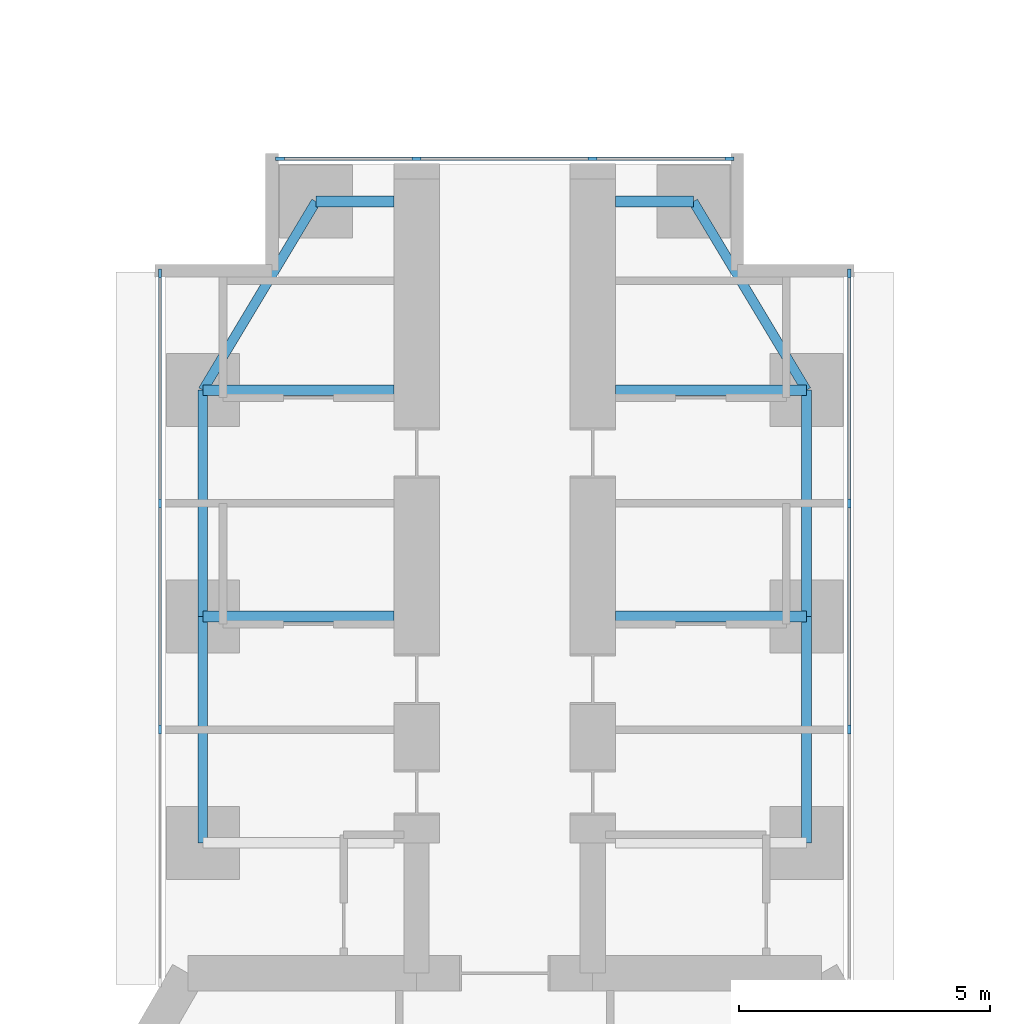
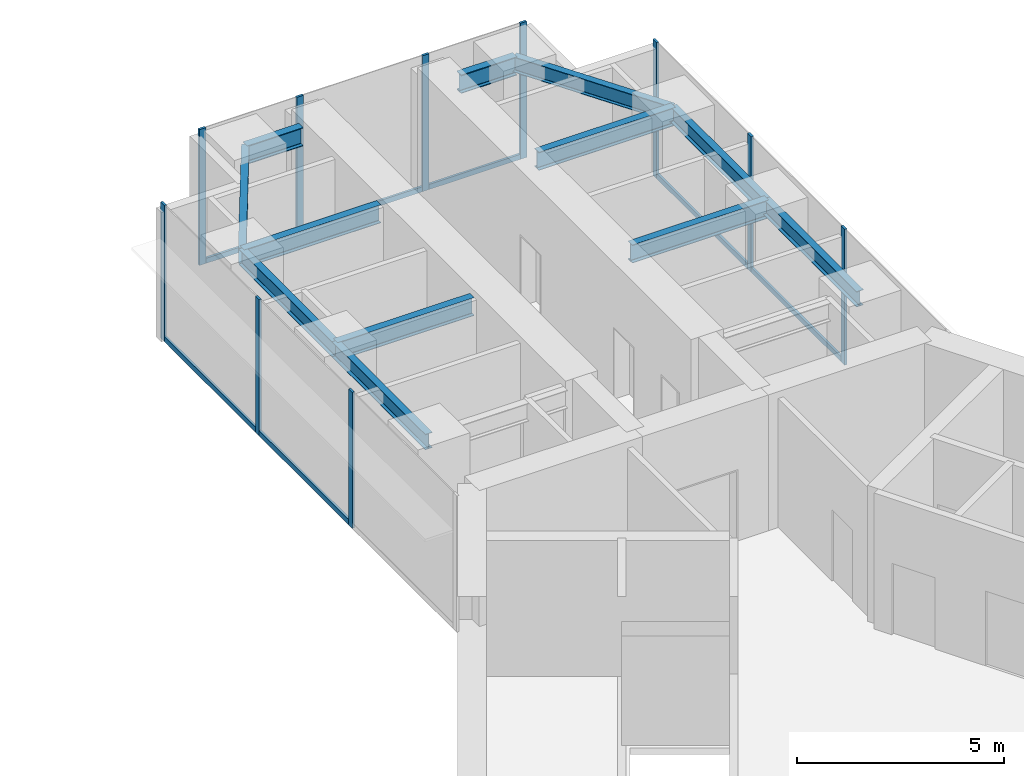
# One storey, part 13 of 24: 17 members, 12 beams, 3 elements without a shape of their own.
"""IFC4 building model written with IfcOpenShell, lengths in metres."""

from ifc_helpers import new_model, si_unit, direction, frame, origin, origin_2d, place, context, subcontext, project, spatial, rectangle, i_section, extrude, material, material_profile, profile_set, type_object, element, aggregate, save


model = new_model("IFC4")

# Units and contexts
model_context = context("Model", 3, precision=1e-05, world=origin(), true_north=direction((0.0, 1.0)))
body_context = subcontext(model_context, "Body", "Model", "MODEL_VIEW")
ifc_project = project(units=[si_unit("LENGTHUNIT", "METRE"), si_unit("AREAUNIT", "SQUARE_METRE"), si_unit("VOLUMEUNIT", "CUBIC_METRE"), si_unit("PLANEANGLEUNIT", "RADIAN"), si_unit("MASSUNIT", "GRAM", prefix="KILO")], contexts=[model_context])

# Site, building, storey
site_placement = place(None, origin())
site = spatial("IfcSite", under=ifc_project, at=site_placement, CompositionType="ELEMENT")
building_placement = place(site_placement, origin())
building = spatial("IfcBuilding", under=site, at=building_placement, Name="Upepo Twin Towers", CompositionType="ELEMENT")
storey_placement = place(building_placement, frame((0.0, 0.0, 64.5)))
storey = spatial("IfcBuildingStorey", under=building, at=storey_placement, Name="L15", CompositionType="ELEMENT", Elevation=64.5)

# Beams
ifc_material_1 = material(Name="Steel S355", Category="steel")
ifc_material_profile_1 = material_profile(ifc_material_1, i_section(OverallWidth=0.1904296875, OverallDepth=0.45703125, WebThickness=0.009033203125, FlangeThickness=0.014404296875, FilletRadius=0.01025390625, at=origin_2d()), Name="UB 457x191x74")
ifc_profile_set_1 = profile_set([ifc_material_profile_1], Name="Steel S355")
beam_type_1 = type_object("IfcBeamType", Name="Beam UB 457x191x74", PredefinedType="BEAM", material=ifc_profile_set_1)
for number, where, z_axis, x_axis, name in (
    (1, (52.5, -4.5, 3.571533203125), (0.0, 1.0, 0.0), (-1.0, 0.0, 0.0), "T2 edge beam AL 13.5-18.0"),
    (2, (52.5, 0.0, 3.571533203125), (0.0, 1.0, 0.0), (-1.0, 0.0, 0.0), "T2 edge beam AL 18.0-22.5"),
):
    element("IfcBeam", number, at=place(storey_placement, frame(where, z_axis=z_axis, x_axis=x_axis)), inside=storey, type_object=beam_type_1, Name=name, PredefinedType="BEAM", context=body_context, shape_type="SweptSolid", body=[
        extrude(i_section(OverallWidth=0.1904296875, OverallDepth=0.45703125, WebThickness=0.009033203125, FlangeThickness=0.014404296875, FilletRadius=0.01025390625, at=origin_2d()), origin(), (0.0, 0.0, 1.0), 4.5),
    ])
beam_1_placement = place(storey_placement, frame((52.5, 4.5, 3.571533203125), z_axis=(0.514495755428, 0.857492925713, 0.0), x_axis=(-0.857492925713, 0.514495755428, 0.0)))
element("IfcBeam", 3, at=beam_1_placement, inside=storey, type_object=beam_type_1, Name="T2 nose edge beam AL", PredefinedType="BEAM", context=body_context, shape_type="SweptSolid", body=[
    extrude(i_section(OverallWidth=0.1904296875, OverallDepth=0.45703125, WebThickness=0.009033203125, FlangeThickness=0.014404296875, FilletRadius=0.01025390625, at=origin_2d()), origin(), (0.0, 0.0, 1.0), 4.373291015625),
])
for number, where, z_axis, x_axis, name in (
    (4, (64.5, -4.5, 3.571533203125), (0.0, 1.0, 0.0), (-1.0, 0.0, 0.0), "T2 edge beam AR 13.5-18.0"),
    (5, (64.5, 0.0, 3.571533203125), (0.0, 1.0, 0.0), (-1.0, 0.0, 0.0), "T2 edge beam AR 18.0-22.5"),
):
    element("IfcBeam", number, at=place(storey_placement, frame(where, z_axis=z_axis, x_axis=x_axis)), inside=storey, type_object=beam_type_1, Name=name, PredefinedType="BEAM", context=body_context, shape_type="SweptSolid", body=[
        extrude(i_section(OverallWidth=0.1904296875, OverallDepth=0.45703125, WebThickness=0.009033203125, FlangeThickness=0.014404296875, FilletRadius=0.01025390625, at=origin_2d()), origin(), (0.0, 0.0, 1.0), 4.5),
    ])
beam_2_placement = place(storey_placement, frame((64.5, 4.5, 3.571533203125), z_axis=(-0.514495755428, 0.857492925713, 0.0), x_axis=(-0.857492925713, -0.514495755428, 0.0)))
element("IfcBeam", 6, at=beam_2_placement, inside=storey, type_object=beam_type_1, Name="T2 nose edge beam AR", PredefinedType="BEAM", context=body_context, shape_type="SweptSolid", body=[
    extrude(i_section(OverallWidth=0.1904296875, OverallDepth=0.45703125, WebThickness=0.009033203125, FlangeThickness=0.014404296875, FilletRadius=0.01025390625, at=origin_2d()), origin(), (0.0, 0.0, 1.0), 4.373291015625),
])
ifc_material_2 = material(Name="Steel S355", Category="steel")
ifc_material_profile_2 = material_profile(ifc_material_2, i_section(OverallWidth=0.2119140625, OverallDepth=0.54443359375, WebThickness=0.0126953125, FlangeThickness=0.021240234375, FilletRadius=0.0126953125, at=origin_2d()), Name="UB 533x210x122")
ifc_profile_set_2 = profile_set([ifc_material_profile_2], Name="Steel S355")
beam_type_2 = type_object("IfcBeamType", Name="Beam UB 533x210x122", PredefinedType="BEAM", material=ifc_profile_set_2)
for number, where, z_axis, x_axis, name in (
    (7, (54.75, 8.25, 3.52783203125), (1.0, 0.0, 0.0), (0.0, 1.0, 0.0), "T2 nose beam AL"),
    (8, (62.25, 8.25, 3.52783203125), (-1.0, 0.0, 0.0), (0.0, -1.0, 0.0), "T2 nose beam AR"),
):
    element("IfcBeam", number, at=place(storey_placement, frame(where, z_axis=z_axis, x_axis=x_axis)), inside=storey, type_object=beam_type_2, Name=name, PredefinedType="BEAM", context=body_context, shape_type="SweptSolid", body=[
        extrude(i_section(OverallWidth=0.2119140625, OverallDepth=0.54443359375, WebThickness=0.0126953125, FlangeThickness=0.021240234375, FilletRadius=0.0126953125, at=origin_2d()), origin(), (0.0, 0.0, 1.0), 1.550048828125),
    ])
ifc_material_3 = material(Name="Steel S355", Category="steel")
ifc_material_profile_3 = material_profile(ifc_material_3, i_section(OverallWidth=0.209228515625, OverallDepth=0.533203125, WebThickness=0.010009765625, FlangeThickness=0.015625, FilletRadius=0.0126953125, at=origin_2d()), Name="UB 533x210x92")
ifc_profile_set_3 = profile_set([ifc_material_profile_3], Name="Steel S355")
beam_type_3 = type_object("IfcBeamType", Name="Beam UB 533x210x92", PredefinedType="BEAM", material=ifc_profile_set_3)
for number, where, z_axis, x_axis, name in (
    (9, (52.5, 0.0, 3.533447265625), (1.0, 0.0, 0.0), (0.0, 1.0, 0.0), "T2 girder AL at 18.0"),
    (10, (52.5, 4.5, 3.533447265625), (1.0, 0.0, 0.0), (0.0, 1.0, 0.0), "T2 girder AL at 22.5"),
    (11, (64.5, 0.0, 3.533447265625), (-1.0, 0.0, 0.0), (0.0, -1.0, 0.0), "T2 girder AR at 18.0"),
    (12, (64.5, 4.5, 3.533447265625), (-1.0, 0.0, 0.0), (0.0, -1.0, 0.0), "T2 girder AR at 22.5"),
):
    element("IfcBeam", number, at=place(storey_placement, frame(where, z_axis=z_axis, x_axis=x_axis)), inside=storey, type_object=beam_type_3, Name=name, PredefinedType="BEAM", context=body_context, shape_type="SweptSolid", body=[
        extrude(i_section(OverallWidth=0.209228515625, OverallDepth=0.533203125, WebThickness=0.010009765625, FlangeThickness=0.015625, FilletRadius=0.0126953125, at=origin_2d()), origin(), (0.0, 0.0, 1.0), 3.800048828125),
    ])

# Curtain wall, members
ifc_material_4 = material(Name="Aluminium and fritted glass", Category="aluminium")
curtain_wall_type = type_object("IfcCurtainWallType", Name="Tower curtain wall TW1, fritted glass", PredefinedType="NOTDEFINED", material=ifc_material_4)
curtain_wall_1_placement = place(storey_placement, origin())
curtain_wall_1 = element("IfcCurtainWall", 13, at=curtain_wall_1_placement, inside=storey, type_object=curtain_wall_type, Name="T2 L15 wing A flank L curtain wall", PredefinedType="NOTDEFINED")
ifc_material_5 = material(Name="Aluminium mullion", Category="aluminium")
ifc_material_profile_4 = material_profile(ifc_material_5, rectangle(XDim=0.06494140625, YDim=0.179931640625, at=origin_2d()), Name="MULLION 65x180")
ifc_profile_set_4 = profile_set([ifc_material_profile_4], Name="Aluminium mullion")
member_type_1 = type_object("IfcMemberType", Name="Mullion 65x180 TW1", PredefinedType="MULLION", material=ifc_profile_set_4)
member_1_placement = place(storey_placement, frame((51.64990234375, -2.25, 0.0), z_axis=(0.0, 0.0, 1.0), x_axis=(-1.0, 0.0, 0.0)))
member_1 = element("IfcMember", 14, at=member_1_placement, type_object=member_type_1, Name="T2 L15 wing A flank L curtain wall mullion 2", PredefinedType="MULLION", context=body_context, shape_type="SweptSolid", body=[
    extrude(rectangle(XDim=0.06494140625, YDim=0.179931640625, at=origin_2d()), origin(), (0.0, 0.0, 1.0), 4.0),
])
member_2_placement = place(storey_placement, frame((51.64990234375, 2.25, 0.0), z_axis=(0.0, 0.0, 1.0), x_axis=(-1.0, 0.0, 0.0)))
member_2 = element("IfcMember", 15, at=member_2_placement, type_object=member_type_1, Name="T2 L15 wing A flank L curtain wall mullion 3", PredefinedType="MULLION", context=body_context, shape_type="SweptSolid", body=[
    extrude(rectangle(XDim=0.06494140625, YDim=0.179931640625, at=origin_2d()), origin(), (0.0, 0.0, 1.0), 4.0),
])
member_3_placement = place(storey_placement, frame((51.64990234375, 6.8173828125, 0.0), z_axis=(0.0, 0.0, 1.0), x_axis=(-1.0, 0.0, 0.0)))
member_3 = element("IfcMember", 16, at=member_3_placement, type_object=member_type_1, Name="T2 L15 wing A flank L curtain wall mullion 4", PredefinedType="MULLION", context=body_context, shape_type="SweptSolid", body=[
    extrude(rectangle(XDim=0.06494140625, YDim=0.179931640625, at=origin_2d()), origin(), (0.0, 0.0, 1.0), 4.0),
])

curtain_wall_2_placement = place(storey_placement, origin())
curtain_wall_2 = element("IfcCurtainWall", 17, at=curtain_wall_2_placement, inside=storey, type_object=curtain_wall_type, Name="T2 L15 wing A flank R curtain wall", PredefinedType="NOTDEFINED")
member_4_placement = place(storey_placement, frame((65.35009765625, 6.8173828125, 0.0), z_axis=(0.0, 0.0, 1.0), x_axis=(1.0, 0.0, 0.0)))
member_4 = element("IfcMember", 18, at=member_4_placement, type_object=member_type_1, Name="T2 L15 wing A flank R curtain wall mullion 1", PredefinedType="MULLION", context=body_context, shape_type="SweptSolid", body=[
    extrude(rectangle(XDim=0.06494140625, YDim=0.179931640625, at=origin_2d()), origin(), (0.0, 0.0, 1.0), 4.0),
])
member_5_placement = place(storey_placement, frame((65.35009765625, 2.25, 0.0), z_axis=(0.0, 0.0, 1.0), x_axis=(1.0, 0.0, 0.0)))
member_5 = element("IfcMember", 19, at=member_5_placement, type_object=member_type_1, Name="T2 L15 wing A flank R curtain wall mullion 2", PredefinedType="MULLION", context=body_context, shape_type="SweptSolid", body=[
    extrude(rectangle(XDim=0.06494140625, YDim=0.179931640625, at=origin_2d()), origin(), (0.0, 0.0, 1.0), 4.0),
])
member_6_placement = place(storey_placement, frame((65.35009765625, -2.25, 0.0), z_axis=(0.0, 0.0, 1.0), x_axis=(1.0, 0.0, 0.0)))
member_6 = element("IfcMember", 20, at=member_6_placement, type_object=member_type_1, Name="T2 L15 wing A flank R curtain wall mullion 3", PredefinedType="MULLION", context=body_context, shape_type="SweptSolid", body=[
    extrude(rectangle(XDim=0.06494140625, YDim=0.179931640625, at=origin_2d()), origin(), (0.0, 0.0, 1.0), 4.0),
])

curtain_wall_3_placement = place(storey_placement, origin())
curtain_wall_3 = element("IfcCurtainWall", 21, at=curtain_wall_3_placement, inside=storey, type_object=curtain_wall_type, Name="T2 L15 wing A nose curtain wall", PredefinedType="NOTDEFINED")
member_7_placement = place(storey_placement, frame((62.967529296875, 9.10009765625, 0.0), z_axis=(0.0, 0.0, 1.0), x_axis=(0.0, -1.0, 0.0)))
member_7 = element("IfcMember", 22, at=member_7_placement, type_object=member_type_1, Name="T2 L15 wing A nose curtain wall mullion 1", PredefinedType="MULLION", context=body_context, shape_type="SweptSolid", body=[
    extrude(rectangle(XDim=0.06494140625, YDim=0.179931640625, at=origin_2d()), origin(), (0.0, 0.0, 1.0), 4.0),
])
member_8_placement = place(storey_placement, frame((60.25, 9.10009765625, 0.0), z_axis=(0.0, 0.0, 1.0), x_axis=(0.0, -1.0, 0.0)))
member_8 = element("IfcMember", 23, at=member_8_placement, type_object=member_type_1, Name="T2 L15 wing A nose curtain wall mullion 2", PredefinedType="MULLION", context=body_context, shape_type="SweptSolid", body=[
    extrude(rectangle(XDim=0.06494140625, YDim=0.179931640625, at=origin_2d()), origin(), (0.0, 0.0, 1.0), 4.0),
])
member_9_placement = place(storey_placement, frame((56.75, 9.10009765625, 0.0), z_axis=(0.0, 0.0, 1.0), x_axis=(0.0, -1.0, 0.0)))
member_9 = element("IfcMember", 24, at=member_9_placement, type_object=member_type_1, Name="T2 L15 wing A nose curtain wall mullion 3", PredefinedType="MULLION", context=body_context, shape_type="SweptSolid", body=[
    extrude(rectangle(XDim=0.06494140625, YDim=0.179931640625, at=origin_2d()), origin(), (0.0, 0.0, 1.0), 4.0),
])
member_10_placement = place(storey_placement, frame((54.032470703125, 9.10009765625, 0.0), z_axis=(0.0, 0.0, 1.0), x_axis=(0.0, -1.0, 0.0)))
member_10 = element("IfcMember", 25, at=member_10_placement, type_object=member_type_1, Name="T2 L15 wing A nose curtain wall mullion 4", PredefinedType="MULLION", context=body_context, shape_type="SweptSolid", body=[
    extrude(rectangle(XDim=0.06494140625, YDim=0.179931640625, at=origin_2d()), origin(), (0.0, 0.0, 1.0), 4.0),
])

# Member
ifc_material_6 = material(Name="Aluminium transom", Category="aluminium")
ifc_material_profile_5 = material_profile(ifc_material_6, rectangle(XDim=0.06494140625, YDim=0.14990234375, at=origin_2d()), Name="TRANSOM 65x150")
ifc_profile_set_5 = profile_set([ifc_material_profile_5], Name="Aluminium transom")
member_type_2 = type_object("IfcMemberType", Name="Transom 65x150 TW1", PredefinedType="USERDEFINED", material=ifc_profile_set_5)
member_11_placement = place(storey_placement, frame((51.64990234375, -2.217529296875, 0.074951171875), z_axis=(0.0, 1.0, 0.0), x_axis=(-1.0, 0.0, 0.0)))
member_11 = element("IfcMember", 26, at=member_11_placement, type_object=member_type_2, Name="T2 L15 wing A flank L curtain wall transom 2", ObjectType="TRANSOM", PredefinedType="USERDEFINED", context=body_context, shape_type="SweptSolid", body=[
    extrude(rectangle(XDim=0.06494140625, YDim=0.14990234375, at=origin_2d()), origin(), (0.0, 0.0, 1.0), 4.43505859375),
])

member_12_placement = place(storey_placement, frame((51.64990234375, 2.282470703125, 0.074951171875), z_axis=(0.0, 1.0, 0.0), x_axis=(-1.0, 0.0, 0.0)))
member_12 = element("IfcMember", 27, at=member_12_placement, type_object=member_type_2, Name="T2 L15 wing A flank L curtain wall transom 3", ObjectType="TRANSOM", PredefinedType="USERDEFINED", context=body_context, shape_type="SweptSolid", body=[
    extrude(rectangle(XDim=0.06494140625, YDim=0.14990234375, at=origin_2d()), origin(), (0.0, 0.0, 1.0), 4.50244140625),
])

aggregate(curtain_wall_1, [member_1, member_2, member_3, member_11, member_12])

member_13_placement = place(storey_placement, frame((65.35009765625, 6.784912109375, 0.074951171875), z_axis=(0.0, -1.0, 0.0), x_axis=(1.0, 0.0, 0.0)))
member_13 = element("IfcMember", 28, at=member_13_placement, type_object=member_type_2, Name="T2 L15 wing A flank R curtain wall transom 1", ObjectType="TRANSOM", PredefinedType="USERDEFINED", context=body_context, shape_type="SweptSolid", body=[
    extrude(rectangle(XDim=0.06494140625, YDim=0.14990234375, at=origin_2d()), origin(), (0.0, 0.0, 1.0), 4.50244140625),
])

member_14_placement = place(storey_placement, frame((65.35009765625, 2.217529296875, 0.074951171875), z_axis=(0.0, -1.0, 0.0), x_axis=(1.0, 0.0, 0.0)))
member_14 = element("IfcMember", 29, at=member_14_placement, type_object=member_type_2, Name="T2 L15 wing A flank R curtain wall transom 2", ObjectType="TRANSOM", PredefinedType="USERDEFINED", context=body_context, shape_type="SweptSolid", body=[
    extrude(rectangle(XDim=0.06494140625, YDim=0.14990234375, at=origin_2d()), origin(), (0.0, 0.0, 1.0), 4.43505859375),
])

aggregate(curtain_wall_2, [member_4, member_5, member_6, member_13, member_14])

member_15_placement = place(storey_placement, frame((62.93505859375, 9.10009765625, 0.074951171875), z_axis=(-1.0, 0.0, 0.0), x_axis=(0.0, -1.0, 0.0)))
member_15 = element("IfcMember", 30, at=member_15_placement, type_object=member_type_2, Name="T2 L15 wing A nose curtain wall transom 1", ObjectType="TRANSOM", PredefinedType="USERDEFINED", context=body_context, shape_type="SweptSolid", body=[
    extrude(rectangle(XDim=0.06494140625, YDim=0.14990234375, at=origin_2d()), origin(), (0.0, 0.0, 1.0), 2.652587890625),
])

member_16_placement = place(storey_placement, frame((60.217529296875, 9.10009765625, 0.074951171875), z_axis=(-1.0, 0.0, 0.0), x_axis=(0.0, -1.0, 0.0)))
member_16 = element("IfcMember", 31, at=member_16_placement, type_object=member_type_2, Name="T2 L15 wing A nose curtain wall transom 2", ObjectType="TRANSOM", PredefinedType="USERDEFINED", context=body_context, shape_type="SweptSolid", body=[
    extrude(rectangle(XDim=0.06494140625, YDim=0.14990234375, at=origin_2d()), origin(), (0.0, 0.0, 1.0), 3.43505859375),
])

member_17_placement = place(storey_placement, frame((56.717529296875, 9.10009765625, 0.074951171875), z_axis=(-1.0, 0.0, 0.0), x_axis=(0.0, -1.0, 0.0)))
member_17 = element("IfcMember", 32, at=member_17_placement, type_object=member_type_2, Name="T2 L15 wing A nose curtain wall transom 3", ObjectType="TRANSOM", PredefinedType="USERDEFINED", context=body_context, shape_type="SweptSolid", body=[
    extrude(rectangle(XDim=0.06494140625, YDim=0.14990234375, at=origin_2d()), origin(), (0.0, 0.0, 1.0), 2.652587890625),
])

aggregate(curtain_wall_3, [member_7, member_8, member_9, member_10, member_15, member_16, member_17])

save(model, "model.ifc")
